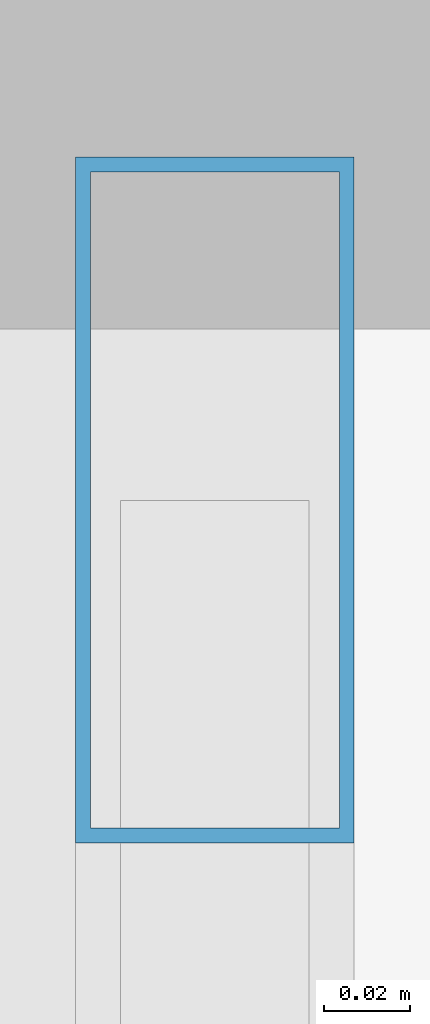
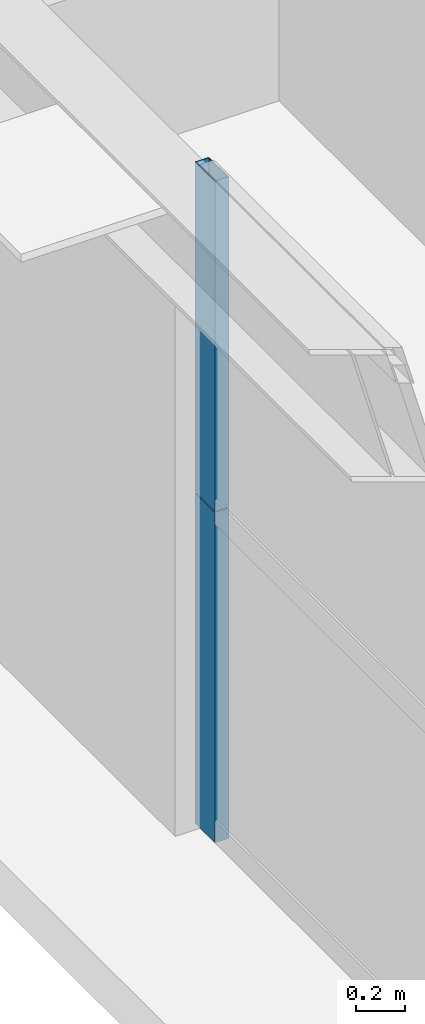
# One storey, part 23 of 38: 2 members, 1 element without a shape of its own.
"""IFC4 building model written with IfcOpenShell, lengths in metres."""

from ifc_helpers import new_model, si_unit, direction, frame, origin, origin_2d, place, context, subcontext, project, spatial, hollow_rectangle, extrude, source, transform, mapped, material, layer, layer_set, material_profile, profile_set, type_object, element, aggregate, save


model = new_model("IFC4")

# Units and contexts
model_context = context("Model", 3, precision=1e-05, world=origin(), true_north=direction((0.0, 1.0)))
body_context = subcontext(model_context, "Body", "Model", "MODEL_VIEW")
ifc_project = project(units=[si_unit("LENGTHUNIT", "METRE"), si_unit("AREAUNIT", "SQUARE_METRE"), si_unit("VOLUMEUNIT", "CUBIC_METRE"), si_unit("PLANEANGLEUNIT", "RADIAN"), si_unit("MASSUNIT", "GRAM", prefix="KILO"), si_unit("THERMODYNAMICTEMPERATUREUNIT", "KELVIN"), si_unit("POWERUNIT", "WATT")], contexts=[model_context])

# Site, building, storey
site_placement = place(None, origin())
site = spatial("IfcSite", under=ifc_project, at=site_placement, CompositionType="ELEMENT")
building_placement = place(site_placement, origin())
building = spatial("IfcBuilding", under=site, at=building_placement, Name="Yuzanri Waterfront Tower", CompositionType="ELEMENT")
storey_placement = place(building_placement, frame((0.0, 0.0, 202.0)))
storey = spatial("IfcBuildingStorey", under=building, at=storey_placement, Name="L53", CompositionType="ELEMENT", Elevation=202.0)

# Curtain wall, members
ifc_material_1 = material(Name="Anodized Architectural Bronze", Category="metal")
ifc_layer = layer(ifc_material_1, 0.159912109375)
ifc_layer_set = layer_set([ifc_layer], Name="Anodized Architectural Bronze")
curtain_wall_type = type_object("IfcCurtainWallType", Name="Anodized Bronze Mid-Rise Residential Acoustic Unitized Curtain Wall 7200", PredefinedType="NOTDEFINED", material=ifc_layer_set)
curtain_wall_placement = place(storey_placement, origin())
curtain_wall = element("IfcCurtainWall", 1, at=curtain_wall_placement, inside=storey, type_object=curtain_wall_type, Name="L53 Curtain Wall CW-L53-WR", PredefinedType="NOTDEFINED")
ifc_material_2 = material(Name="Anodized Architectural Bronze", Category="metal")
ifc_material_profile = material_profile(ifc_material_2, hollow_rectangle(XDim=0.06494140625, YDim=0.159912109375, WallThickness=0.00341796875, at=origin_2d()), Name="CWM 65x160")
ifc_profile_set = profile_set([ifc_material_profile], Name="Anodized Architectural Bronze")
member_type = type_object("IfcMemberType", Name="Anodized Bronze Upper-Zone Curtain-Wall Mullion 65x160", PredefinedType="MULLION", material=ifc_profile_set)
shared_shape = source(origin(), body_context, "Body", "SweptSolid", [
    extrude(hollow_rectangle(XDim=0.06494140625, YDim=0.159912109375, WallThickness=0.00341796875, at=origin_2d()), origin(), (0.0, 0.0, 1.0), 1.637939453125),
])
member_1_placement = place(storey_placement, frame((15.050048828125, 40.510009765625, 0.0), z_axis=(0.0, 0.0, 1.0), x_axis=(1.0, 0.0, 0.0)))
member_1 = element("IfcMember", 2, at=member_1_placement, type_object=member_type, Name="CW-L53-WR Lower Mullion 02", PredefinedType="MULLION", context=body_context, shape_type="MappedRepresentation", body=[
    mapped(shared_shape, transform((0.0, 0.0, 0.0), scale=1.0)),
])
member_2_placement = place(storey_placement, frame((15.050048828125, 40.510009765625, 1.64208984375), z_axis=(0.0, 0.0, 1.0), x_axis=(1.0, 0.0, 0.0)))
member_2 = element("IfcMember", 3, at=member_2_placement, type_object=member_type, Name="CW-L53-WR Upper Mullion 02", PredefinedType="MULLION", context=body_context, shape_type="MappedRepresentation", body=[
    mapped(shared_shape, transform((0.0, 0.0, 0.0), scale=1.0)),
])
aggregate(curtain_wall, [member_1, member_2])

save(model, "model.ifc")
